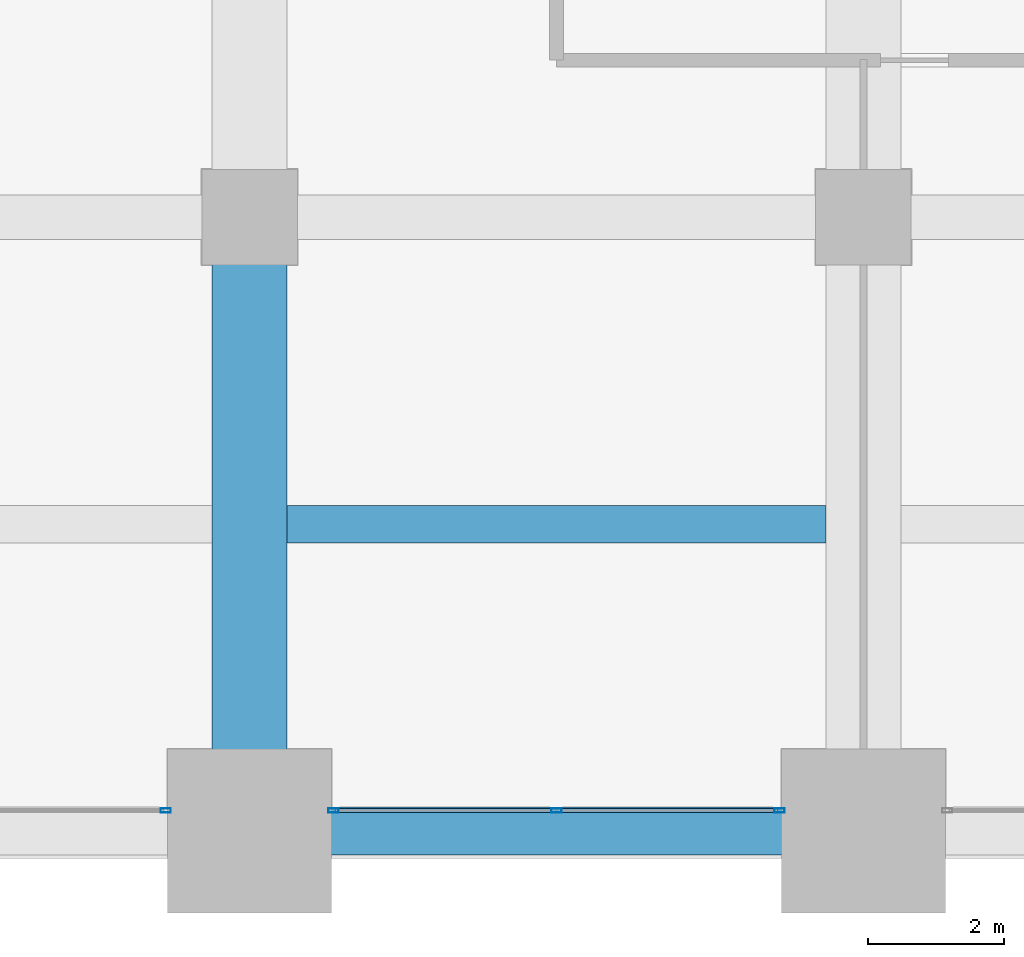
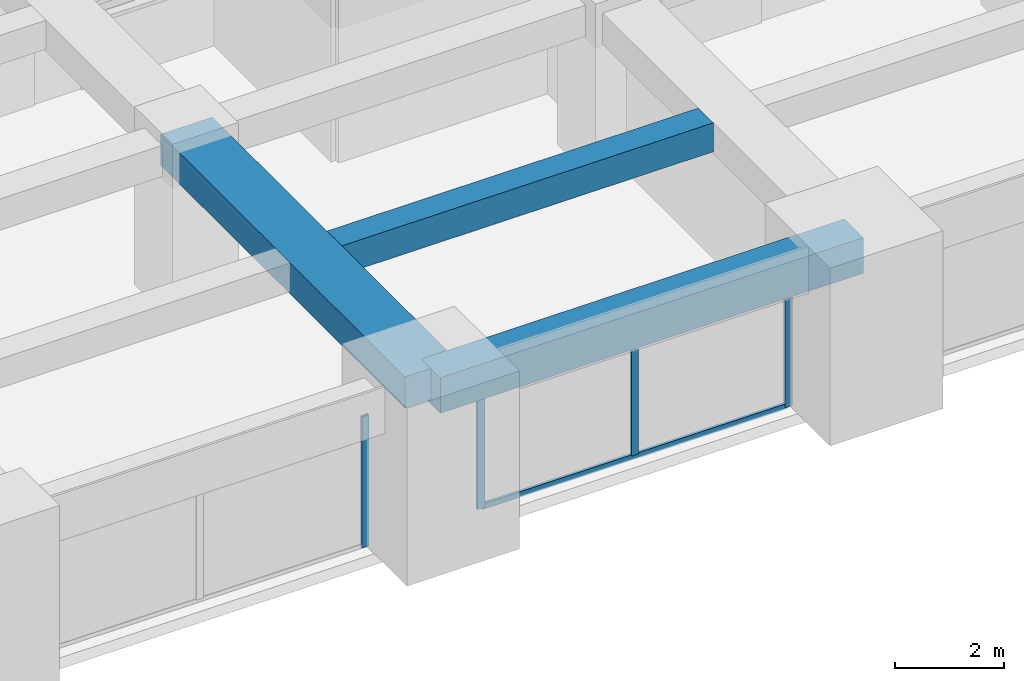
# One storey, part 6 of 32: 5 members, 3 beams, 2 elements without a shape of their own.
"""IFC4 building model written with IfcOpenShell, lengths in metres."""

import ifcopenshell
import ifcopenshell.guid

model = None  # the IFC model being written
_history = None  # IfcOwnerHistory: only IFC2X3 demands one
_inside = {}  # id of a spatial element -> (the spatial element, [elements in it])
_under = {}  # id of a project, library or spatial element -> (it, [spatial elements below it])
_declared = {}  # id of a project -> (the project, [libraries it declares])
_typed = {}  # id of a type object -> (the type object, [elements of that type])
_made_of = {}  # id of a material, layer set ... -> (it, [elements and type objects made of it])


def new_model(schema):
    """Start an empty IFC model of exactly this schema.

    Asked for "IFC4X3", IfcOpenShell would pick the latest addendum, in which some entities
    have other attributes; the version numbers below select the first issue.
    IFC2X3 requires an IfcOwnerHistory on every rooted entity: one is made here for all.
    """
    global model, _history
    if schema == "IFC4X3":
        model = ifcopenshell.file(schema_version=(4, 3, 0, 0))
    else:
        model = ifcopenshell.file(schema=schema)
    _inside.clear()
    _under.clear()
    _declared.clear()
    _typed.clear()
    _made_of.clear()
    _history = None
    if model.schema == "IFC2X3":
        org = make("IfcOrganization", Name="unknown")
        user = make(
            "IfcPersonAndOrganization",
            ThePerson=make("IfcPerson", FamilyName="unknown"),
            TheOrganization=org,
        )
        app = make(
            "IfcApplication",
            ApplicationDeveloper=org,
            Version="unknown",
            ApplicationFullName="unknown",
            ApplicationIdentifier="unknown",
        )
        _history = make(
            "IfcOwnerHistory",
            OwningUser=user,
            OwningApplication=app,
            ChangeAction="ADDED",
            CreationDate=0,
        )
    return model


def make(cls, **values):
    """One entity of the class cls with the attributes given. An attribute that is None is left unset."""
    return model.create_entity(
        cls, **{name: value for name, value in values.items() if value is not None}
    )


def rooted(cls, **values):
    """An entity with a GlobalId (a new one), such as an element, a storey or a relation."""
    return make(cls, GlobalId=ifcopenshell.guid.new(), OwnerHistory=_history, **values)


def si_unit(unit_type, name, prefix=None):
    """IfcSIUnit, for example si_unit("LENGTHUNIT", "METRE", prefix="MILLI")."""
    return make("IfcSIUnit", UnitType=unit_type, Prefix=prefix, Name=name)


def assignment(units):
    """IfcUnitAssignment: the units of a project."""
    return None if units is None else make("IfcUnitAssignment", Units=units)


def point(xyz):
    """IfcCartesianPoint."""
    return None if xyz is None else make("IfcCartesianPoint", Coordinates=xyz)


def direction(xyz):
    """IfcDirection."""
    return None if xyz is None else make("IfcDirection", DirectionRatios=xyz)


def frame(location, z_axis=None, x_axis=None):
    """IfcAxis2Placement3D, a coordinate frame: its origin and axes. An axis left out is left unset."""
    return make(
        "IfcAxis2Placement3D",
        Location=point(location),
        Axis=direction(z_axis),
        RefDirection=direction(x_axis),
    )


def frame_2d(location, x_axis=None):
    """IfcAxis2Placement2D, a coordinate frame in the plane: its origin and x axis."""
    return make(
        "IfcAxis2Placement2D", Location=point(location), RefDirection=direction(x_axis)
    )


def origin():
    """The frame at (0, 0, 0) with its axes left unset."""
    return frame((0.0, 0.0, 0.0))


def origin_2d():
    """The frame at (0, 0) in the plane with its x axis left unset."""
    return frame_2d((0.0, 0.0))


def place(relative_to, where):
    """IfcLocalPlacement: puts the frame where relative to a parent placement (None: the world)."""
    return make(
        "IfcLocalPlacement", PlacementRelTo=relative_to, RelativePlacement=where
    )


def context(
    kind, dimensions, precision=None, world=None, true_north=None, identifier=None
):
    """IfcGeometricRepresentationContext, for example the 3D "Model" context."""
    return make(
        "IfcGeometricRepresentationContext",
        ContextIdentifier=identifier,
        ContextType=kind,
        CoordinateSpaceDimension=dimensions,
        Precision=precision,
        WorldCoordinateSystem=world,
        TrueNorth=true_north,
    )


def subcontext(parent, identifier, kind, view, scale=None):
    """IfcGeometricRepresentationSubContext, for example "Body" below "Model"."""
    return make(
        "IfcGeometricRepresentationSubContext",
        ContextIdentifier=identifier,
        ContextType=kind,
        ParentContext=parent,
        TargetScale=scale,
        TargetView=view,
    )


def project(units=None, contexts=None):
    """IfcProject with its units and contexts."""
    return rooted(
        "IfcProject",
        Name="project",
        RepresentationContexts=contexts,
        UnitsInContext=assignment(units),
    )


def spatial(cls, under=None, at=None, **own):
    """A site, building, storey or space (cls), placed at a placement, below another one or the project."""
    s = rooted(cls, ObjectPlacement=at, **own)
    if under is not None:
        _under.setdefault(under.id(), (under, []))[1].append(s)
    return s


def profile(cls, at=None, kind="AREA", **sizes):
    """A parametric profile (cls). Its sizes go by their IFC names, for example OverallWidth=200.0."""
    return make(cls, ProfileType=kind, Position=at, **sizes)


def rectangle(**sizes):
    """IfcRectangleProfileDef."""
    return profile("IfcRectangleProfileDef", **sizes)


def hollow_rectangle(**sizes):
    """IfcRectangleHollowProfileDef."""
    return profile("IfcRectangleHollowProfileDef", **sizes)


def extrude(swept, where, along, depth):
    """IfcExtrudedAreaSolid: the profile swept, set in the frame where, extruded along a direction by depth."""
    return make(
        "IfcExtrudedAreaSolid",
        SweptArea=swept,
        Position=where,
        ExtrudedDirection=direction(along),
        Depth=depth,
    )


def shape(context_of_items, identifier, shape_type, items):
    """IfcShapeRepresentation: the items that make up one representation, for example the "Body"."""
    return make(
        "IfcShapeRepresentation",
        ContextOfItems=context_of_items,
        RepresentationIdentifier=identifier,
        RepresentationType=shape_type,
        Items=items,
    )


def material(Name=None, Category=None):
    """IfcMaterial."""
    return make("IfcMaterial", Name=Name, Category=Category)


def material_profile(
    of_material, cross_section, Name=None, Category=None, Priority=None
):
    """IfcMaterialProfile: a cross section and its material."""
    return make(
        "IfcMaterialProfile",
        Name=Name,
        Material=of_material,
        Profile=cross_section,
        Priority=Priority,
        Category=Category,
    )


def profile_set(profiles, Name=None, composite=None):
    """IfcMaterialProfileSet."""
    return make(
        "IfcMaterialProfileSet",
        Name=Name,
        MaterialProfiles=profiles,
        CompositeProfile=composite,
    )


def made_of(thing, what):
    """Note that an element or type object is made of a material, layer set ...; save() writes the relation."""
    if what is not None:
        _made_of.setdefault(what.id(), (what, []))[1].append(thing)
    return thing


def type_object(cls, material=None, **own):
    """A type object (cls), such as IfcWallType, which elements share."""
    return made_of(rooted(cls, **own), material)


def element(
    cls,
    number,
    at=None,
    inside=None,
    cuts=None,
    type_object=None,
    material=None,
    context=None,
    identifier="Body",
    shape_type=None,
    held_by="IfcProductDefinitionShape",
    body=None,
    shapes=None,
    **own,
):
    """One element of the class cls, such as IfcWall. Its Tag is "e" and its number.

    at: its placement. inside: the storey or other place that contains it. cuts: it is an
    opening in that element (IfcRelVoidsElement). A single representation is given by context,
    identifier, shape_type and body (its items); several are given by shapes. held_by: the class
    of the entity that holds the representations. save() writes the other relations.
    """
    e = rooted(cls, Tag="e%d" % number, ObjectPlacement=at, **own)
    if body is not None:
        shapes = [shape(context, identifier, shape_type, body)]
    if shapes is not None:
        e.Representation = make(held_by, Representations=shapes)
    if inside is not None:
        _inside.setdefault(inside.id(), (inside, []))[1].append(e)
    if cuts is not None:
        rooted(
            "IfcRelVoidsElement", RelatingBuildingElement=cuts, RelatedOpeningElement=e
        )
    if type_object is not None:
        _typed.setdefault(type_object.id(), (type_object, []))[1].append(e)
    return made_of(e, material)


def aggregate(whole, parts):
    """IfcRelAggregates: a whole, such as a stair, and the parts it consists of."""
    return rooted("IfcRelAggregates", RelatingObject=whole, RelatedObjects=parts)


def save(model, path):
    """Write the relations noted so far, then the file.

    IfcRelAggregates (storeys below a building ...), IfcRelContainedInSpatialStructure (elements
    in a storey), IfcRelDefinesByType, IfcRelAssociatesMaterial and IfcRelDeclares: one each for
    every whole, place, type object, material and project.
    """
    for whole, parts in _under.values():
        aggregate(whole, parts)
    for where, things in _inside.values():
        rooted(
            "IfcRelContainedInSpatialStructure",
            RelatedElements=things,
            RelatingStructure=where,
        )
    for kind, things in _typed.values():
        rooted("IfcRelDefinesByType", RelatedObjects=things, RelatingType=kind)
    for what, things in _made_of.values():
        rooted("IfcRelAssociatesMaterial", RelatedObjects=things, RelatingMaterial=what)
    for by, libraries in _declared.values():
        rooted("IfcRelDeclares", RelatingContext=by, RelatedDefinitions=libraries)
    model.write(path)


model = new_model("IFC4")

# Units and contexts
model_context = context("Model", 3, precision=1e-05, world=origin(), true_north=direction((0.0, 1.0)))
body_context = subcontext(model_context, "Body", "Model", "MODEL_VIEW")
ifc_project = project(units=[si_unit("LENGTHUNIT", "METRE"), si_unit("AREAUNIT", "SQUARE_METRE"), si_unit("VOLUMEUNIT", "CUBIC_METRE"), si_unit("PLANEANGLEUNIT", "RADIAN"), si_unit("MASSUNIT", "GRAM", prefix="KILO")], contexts=[model_context])

# Site, building, storey
site_placement = place(None, origin())
site = spatial("IfcSite", under=ifc_project, at=site_placement, CompositionType="ELEMENT")
building_placement = place(site_placement, origin())
building = spatial("IfcBuilding", under=site, at=building_placement, Name="Zorevar Civic Tower", CompositionType="ELEMENT")
storey_placement = place(building_placement, frame((0.0, 0.0, 202.199951171875)))
storey = spatial("IfcBuildingStorey", under=building, at=storey_placement, Name="L49", CompositionType="ELEMENT", Elevation=202.199951171875)

# Beams
ifc_material_1 = material(Name="Concrete C50/60", Category="concrete")
ifc_material_profile_1 = material_profile(ifc_material_1, rectangle(XDim=1.10009765625, YDim=0.699951171875, at=origin_2d()), Name="RC 1100x700")
ifc_profile_set_1 = profile_set([ifc_material_profile_1], Name="Concrete C50/60")
beam_type_1 = type_object("IfcBeamType", Name="Beam RC 1100x700", PredefinedType="BEAM", material=ifc_profile_set_1)
beam_1_placement = place(storey_placement, frame((18.0, 0.0, 3.400146484375), z_axis=(0.0, 1.0, 0.0), x_axis=(-1.0, 0.0, 0.0)))
element("IfcBeam", 1, at=beam_1_placement, inside=storey, type_object=beam_type_1, Name="Girder L50", PredefinedType="BEAM", context=body_context, shape_type="SweptSolid", body=[
    extrude(rectangle(XDim=1.10009765625, YDim=0.699951171875, at=origin_2d()), origin(), (0.0, 0.0, 1.0), 9.0),
])
ifc_material_2 = material(Name="Concrete C50/60", Category="concrete")
ifc_material_profile_2 = material_profile(ifc_material_2, rectangle(XDim=0.550048828125, YDim=0.64990234375, at=origin_2d()), Name="RC 550x650")
ifc_profile_set_2 = profile_set([ifc_material_profile_2], Name="Concrete C50/60")
beam_type_2 = type_object("IfcBeamType", Name="Beam RC 550x650", PredefinedType="BEAM", material=ifc_profile_set_2)
beam_2_placement = place(storey_placement, frame((18.550048828125, 4.5, 3.425048828125), z_axis=(1.0, 0.0, 0.0), x_axis=(0.0, 1.0, 0.0)))
element("IfcBeam", 2, at=beam_2_placement, inside=storey, type_object=beam_type_2, Name="Secondary beam L50", PredefinedType="BEAM", context=body_context, shape_type="SweptSolid", body=[
    extrude(rectangle(XDim=0.550048828125, YDim=0.64990234375, at=origin_2d()), origin(), (0.0, 0.0, 1.0), 7.89990234375),
])

# Curtain wall, member
ifc_material_3 = material(Name="Dark grey solar-control glass in black aluminium frame", Category="aluminium")
curtain_wall_type = type_object("IfcCurtainWallType", Name="Curtain wall CW4 high zone", PredefinedType="NOTDEFINED", material=ifc_material_3)
curtain_wall_1_placement = place(storey_placement, origin())
curtain_wall_1 = element("IfcCurtainWall", 3, at=curtain_wall_1_placement, inside=storey, type_object=curtain_wall_type, Name="CW4 L49", PredefinedType="NOTDEFINED")
ifc_material_4 = material(Name="Aluminium, black anodised", Category="aluminium")
ifc_material_profile_3 = material_profile(ifc_material_4, hollow_rectangle(XDim=0.06005859375, YDim=0.14990234375, WallThickness=0.00390625, at=origin_2d()), Name="AL 150x60x4")
ifc_profile_set_3 = profile_set([ifc_material_profile_3], Name="Aluminium, black anodised")
member_type_1 = type_object("IfcMemberType", Name="CW4 mullion AL 150x60x4", PredefinedType="MULLION", material=ifc_profile_set_3)
member_1_placement = place(storey_placement, frame((16.77001953125, 0.300048828125, 0.0), z_axis=(0.0, 0.0, 1.0), x_axis=(0.0, 1.0, 0.0)))
member_1 = element("IfcMember", 4, at=member_1_placement, type_object=member_type_1, Name="CW4 mullion 3", PredefinedType="MULLION", context=body_context, shape_type="SweptSolid", body=[
    extrude(hollow_rectangle(XDim=0.06005859375, YDim=0.14990234375, WallThickness=0.00390625, at=origin_2d()), origin(), (0.0, 0.0, 1.0), 2.949951171875),
])
aggregate(curtain_wall_1, [member_1])

# Curtain wall, members
curtain_wall_2_placement = place(storey_placement, origin())
curtain_wall_2 = element("IfcCurtainWall", 5, at=curtain_wall_2_placement, inside=storey, type_object=curtain_wall_type, Name="CW4 L49", PredefinedType="NOTDEFINED")
member_2_placement = place(storey_placement, frame((19.22998046875, 0.300048828125, 0.0), z_axis=(0.0, 0.0, 1.0), x_axis=(0.0, 1.0, 0.0)))
member_2 = element("IfcMember", 6, at=member_2_placement, type_object=member_type_1, Name="CW4 mullion 1", PredefinedType="MULLION", context=body_context, shape_type="SweptSolid", body=[
    extrude(hollow_rectangle(XDim=0.06005859375, YDim=0.14990234375, WallThickness=0.00390625, at=origin_2d()), origin(), (0.0, 0.0, 1.0), 2.949951171875),
])
member_3_placement = place(storey_placement, frame((22.5, 0.300048828125, 0.06005859375), z_axis=(0.0, 0.0, 1.0), x_axis=(0.0, 1.0, 0.0)))
member_3 = element("IfcMember", 7, at=member_3_placement, type_object=member_type_1, Name="CW4 mullion 2", PredefinedType="MULLION", context=body_context, shape_type="SweptSolid", body=[
    extrude(hollow_rectangle(XDim=0.06005859375, YDim=0.14990234375, WallThickness=0.00390625, at=origin_2d()), origin(), (0.0, 0.0, 1.0), 2.889892578125),
])
member_4_placement = place(storey_placement, frame((25.77001953125, 0.300048828125, 0.0), z_axis=(0.0, 0.0, 1.0), x_axis=(0.0, 1.0, 0.0)))
member_4 = element("IfcMember", 8, at=member_4_placement, type_object=member_type_1, Name="CW4 mullion 3", PredefinedType="MULLION", context=body_context, shape_type="SweptSolid", body=[
    extrude(hollow_rectangle(XDim=0.06005859375, YDim=0.14990234375, WallThickness=0.00390625, at=origin_2d()), origin(), (0.0, 0.0, 1.0), 2.949951171875),
])
ifc_material_5 = material(Name="Aluminium, black anodised", Category="aluminium")
ifc_material_profile_4 = material_profile(ifc_material_5, hollow_rectangle(XDim=0.06005859375, YDim=0.1201171875, WallThickness=0.0029296875, at=origin_2d()), Name="AL 120x60x3")
ifc_profile_set_4 = profile_set([ifc_material_profile_4], Name="Aluminium, black anodised")
member_type_2 = type_object("IfcMemberType", Name="CW4 transom AL 120x60x3", PredefinedType="USERDEFINED", material=ifc_profile_set_4)
member_5_placement = place(storey_placement, frame((19.260009765625, 0.300048828125, 0.030029296875), z_axis=(1.0, 0.0, 0.0), x_axis=(0.0, 1.0, 0.0)))
member_5 = element("IfcMember", 9, at=member_5_placement, type_object=member_type_2, Name="CW4 sill transom", ObjectType="TRANSOM", PredefinedType="USERDEFINED", context=body_context, shape_type="SweptSolid", body=[
    extrude(hollow_rectangle(XDim=0.06005859375, YDim=0.1201171875, WallThickness=0.0029296875, at=origin_2d()), origin(), (0.0, 0.0, 1.0), 6.47998046875),
])
aggregate(curtain_wall_2, [member_2, member_3, member_4, member_5])

# Beam
ifc_material_6 = material(Name="Concrete C50/60", Category="concrete")
ifc_material_profile_5 = material_profile(ifc_material_6, rectangle(XDim=0.699951171875, YDim=0.800048828125, at=origin_2d()), Name="RC 700x800")
ifc_profile_set_5 = profile_set([ifc_material_profile_5], Name="Concrete C50/60")
beam_type_3 = type_object("IfcBeamType", Name="Edge beam RC 700x800", PredefinedType="SPANDREL", material=ifc_profile_set_5)
beam_3_placement = place(storey_placement, frame((18.0, 0.0, 3.35009765625), z_axis=(1.0, 0.0, 0.0), x_axis=(0.0, 1.0, 0.0)))
element("IfcBeam", 10, at=beam_3_placement, inside=storey, type_object=beam_type_3, Name="Edge beam L50", PredefinedType="SPANDREL", context=body_context, shape_type="SweptSolid", body=[
    extrude(rectangle(XDim=0.699951171875, YDim=0.800048828125, at=origin_2d()), origin(), (0.0, 0.0, 1.0), 9.0),
])

save(model, "model.ifc")
